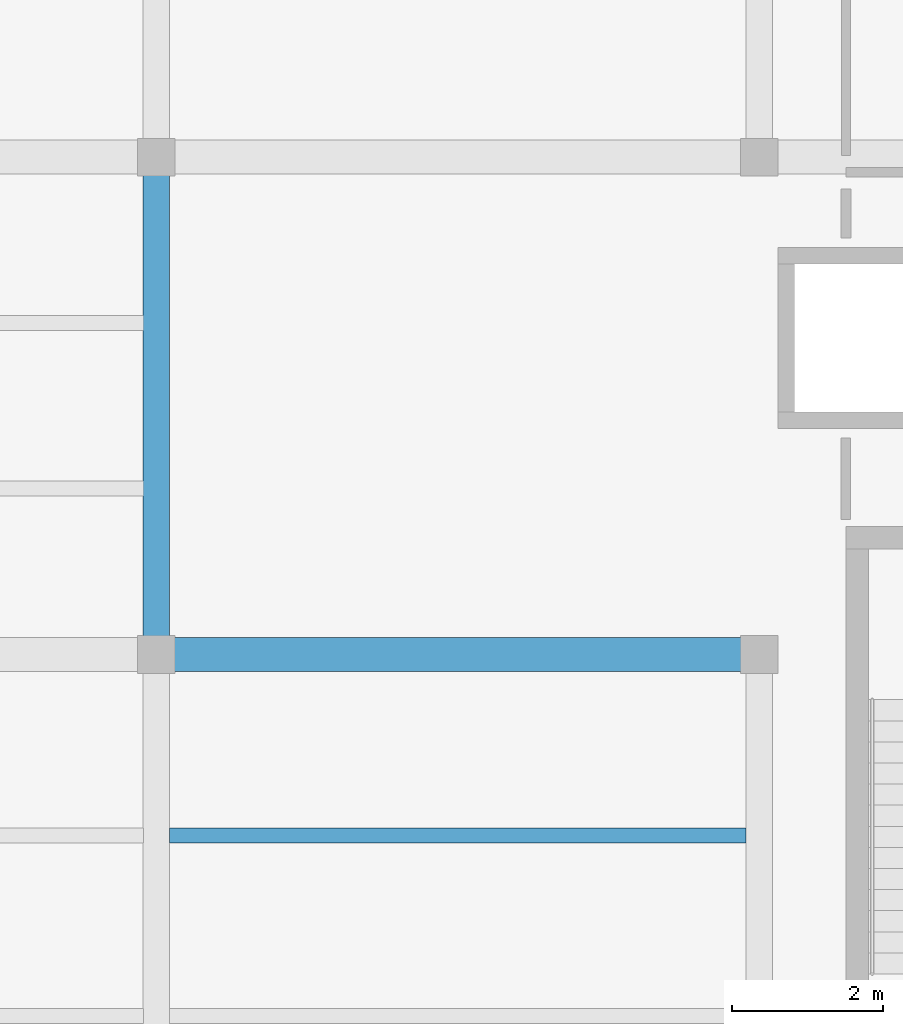
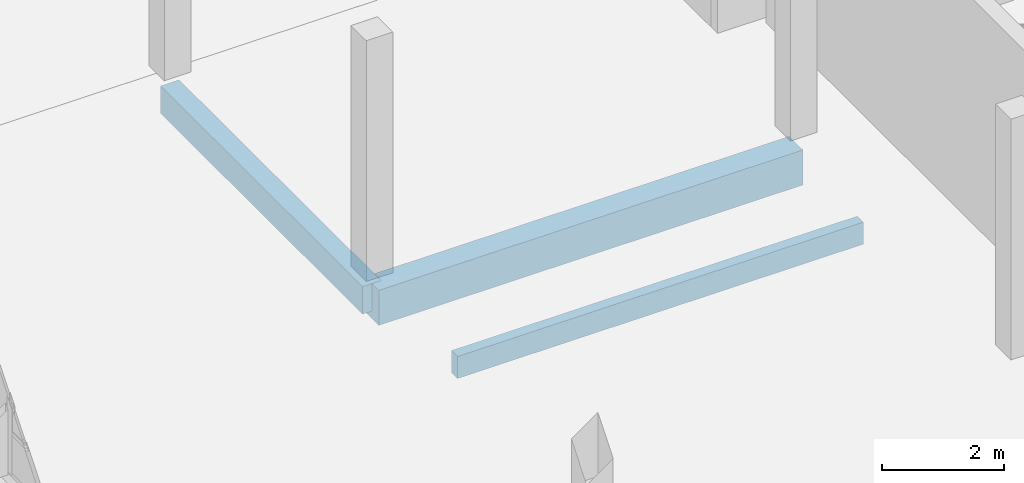
# One storey, part 35 of 177: 3 beams.
"""IFC4 building model written with IfcOpenShell, lengths in metres."""

from ifc_helpers import new_model, si_unit, direction, frame, origin, origin_2d, place, context, subcontext, project, spatial, rectangle, extrude, material, material_profile, profile_set, type_object, element, save


model = new_model("IFC4")

# Units and contexts
model_context = context("Model", 3, precision=1e-05, world=origin(), true_north=direction((0.0, 1.0)))
body_context = subcontext(model_context, "Body", "Model", "MODEL_VIEW")
ifc_project = project(units=[si_unit("LENGTHUNIT", "METRE"), si_unit("AREAUNIT", "SQUARE_METRE"), si_unit("VOLUMEUNIT", "CUBIC_METRE"), si_unit("PLANEANGLEUNIT", "RADIAN"), si_unit("MASSUNIT", "GRAM", prefix="KILO")], contexts=[model_context])

# Site, building, storey
site_placement = place(None, origin())
site = spatial("IfcSite", under=ifc_project, at=site_placement, CompositionType="ELEMENT")
building_placement = place(site_placement, origin())
building = spatial("IfcBuilding", under=site, at=building_placement, Name="Chiffa Square Polytechnic", CompositionType="ELEMENT")
storey_placement = place(building_placement, frame((0.0, 0.0, 4.800048828125)))
storey = spatial("IfcBuildingStorey", under=building, at=storey_placement, Name="L01", CompositionType="ELEMENT", Elevation=4.800048828125)

# Beams
ifc_material_1 = material(Name="Concrete C35/45", Category="concrete")
ifc_material_profile_1 = material_profile(ifc_material_1, rectangle(XDim=0.35009765625, YDim=0.550048828125, at=origin_2d()), Name="RC 350x550")
ifc_profile_set_1 = profile_set([ifc_material_profile_1], Name="Concrete C35/45")
beam_type_1 = type_object("IfcBeamType", Name="BM-RC-350X550", PredefinedType="BEAM", material=ifc_profile_set_1)
beam_1_placement = place(storey_placement, frame((8.0, 51.0, -0.554931640625), z_axis=(0.0, 1.0, 0.0), x_axis=(-1.0, 0.0, 0.0)))
element("IfcBeam", 1, at=beam_1_placement, inside=storey, type_object=beam_type_1, Name="Primary floor girder BM-V6-L01-Y-0080-0510", PredefinedType="BEAM", context=body_context, shape_type="SweptSolid", body=[
    extrude(rectangle(XDim=0.35009765625, YDim=0.550048828125, at=origin_2d()), origin(), (0.0, 0.0, 1.0), 6.60009765625),
])
ifc_material_profile_2 = material_profile(ifc_material_1, rectangle(XDim=0.449951171875, YDim=0.699951171875, at=origin_2d()), Name="RC 450x700")
ifc_profile_set_2 = profile_set([ifc_material_profile_2], Name="Concrete C35/45")
beam_type_2 = type_object("IfcBeamType", Name="BM-RC-450X700", PredefinedType="BEAM", material=ifc_profile_set_2)
beam_2_placement = place(storey_placement, frame((8.0, 51.0, -0.630126953125), z_axis=(1.0, 0.0, 0.0), x_axis=(0.0, 1.0, 0.0)))
element("IfcBeam", 2, at=beam_2_placement, inside=storey, type_object=beam_type_2, Name="Primary floor girder BM-V6-L01-X-0080-0510", PredefinedType="BEAM", context=body_context, shape_type="SweptSolid", body=[
    extrude(rectangle(XDim=0.449951171875, YDim=0.699951171875, at=origin_2d()), origin(), (0.0, 0.0, 1.0), 8.0),
])
ifc_material_2 = material(Name="Glulam GL28h", Category="wood")
ifc_material_profile_3 = material_profile(ifc_material_2, rectangle(XDim=0.199951171875, YDim=0.43994140625, at=origin_2d()), Name="GL28h 200x440")
ifc_profile_set_3 = profile_set([ifc_material_profile_3], Name="Glulam GL28h")
beam_type_3 = type_object("IfcBeamType", Name="JST-GL-200X440", PredefinedType="JOIST", material=ifc_profile_set_3)
beam_3_placement = place(storey_placement, frame((8.173095703125, 48.60009765625, -0.5), z_axis=(1.0, 0.0, 0.0), x_axis=(0.0, 1.0, 0.0)))
element("IfcBeam", 3, at=beam_3_placement, inside=storey, type_object=beam_type_3, Name="Secondary floor joist JST-V6-L01-0080-0486", PredefinedType="JOIST", context=body_context, shape_type="SweptSolid", body=[
    extrude(rectangle(XDim=0.199951171875, YDim=0.43994140625, at=origin_2d()), origin(), (0.0, 0.0, 1.0), 7.65380859375),
])

save(model, "model.ifc")
